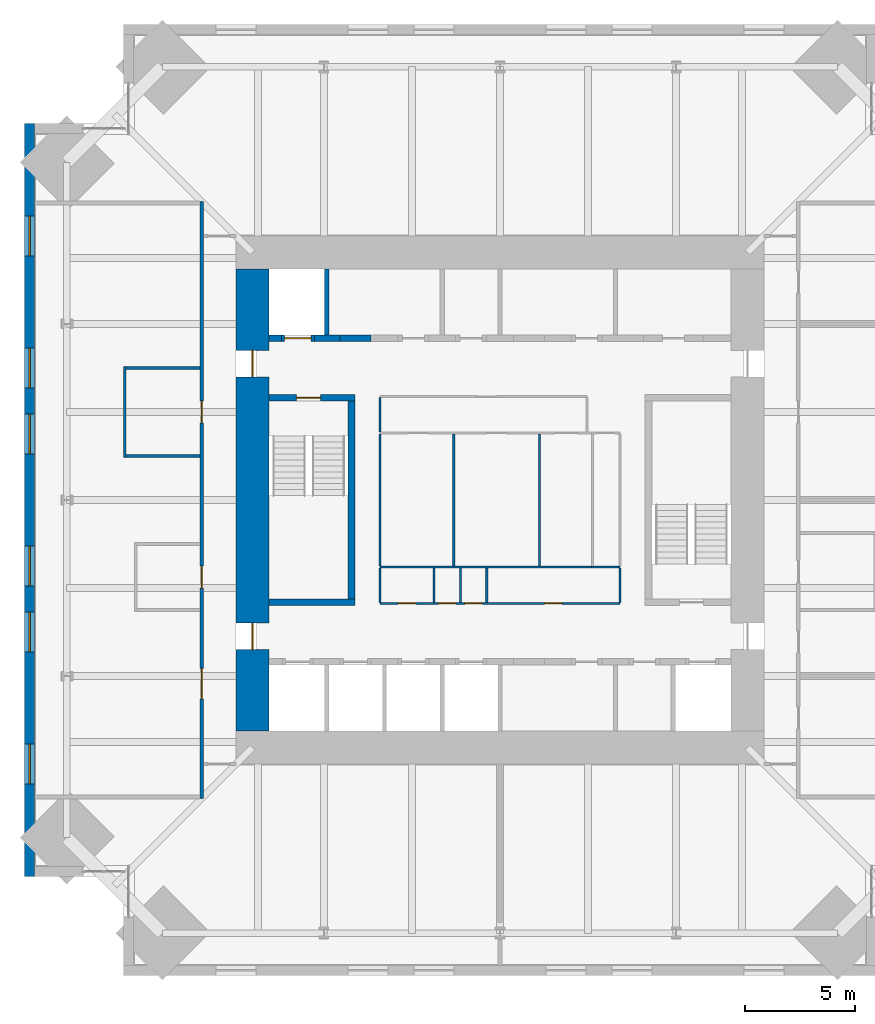
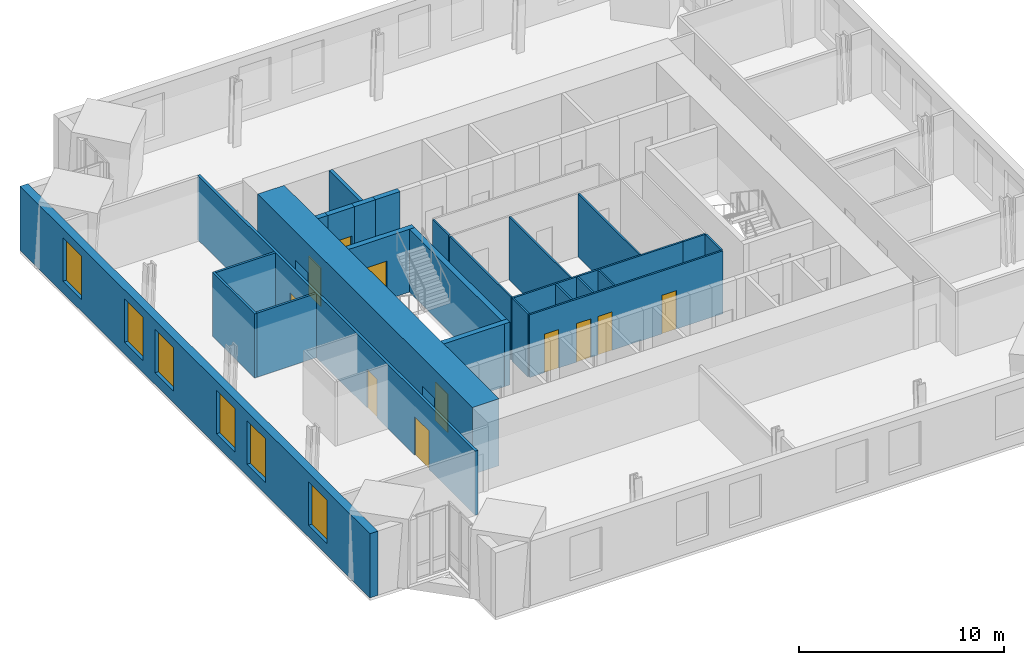
# One storey, part 12 of 16: 26 walls, 11 doors, 6 windows, 17 openings.
"""IFC4 building model written with IfcOpenShell, lengths in metres."""

import ifcopenshell
import ifcopenshell.guid

model = None  # the IFC model being written
_history = None  # IfcOwnerHistory: only IFC2X3 demands one
_inside = {}  # id of a spatial element -> (the spatial element, [elements in it])
_under = {}  # id of a project, library or spatial element -> (it, [spatial elements below it])
_declared = {}  # id of a project -> (the project, [libraries it declares])
_typed = {}  # id of a type object -> (the type object, [elements of that type])
_made_of = {}  # id of a material, layer set ... -> (it, [elements and type objects made of it])


def new_model(schema):
    """Start an empty IFC model of exactly this schema.

    Asked for "IFC4X3", IfcOpenShell would pick the latest addendum, in which some entities
    have other attributes; the version numbers below select the first issue.
    IFC2X3 requires an IfcOwnerHistory on every rooted entity: one is made here for all.
    """
    global model, _history
    if schema == "IFC4X3":
        model = ifcopenshell.file(schema_version=(4, 3, 0, 0))
    else:
        model = ifcopenshell.file(schema=schema)
    _inside.clear()
    _under.clear()
    _declared.clear()
    _typed.clear()
    _made_of.clear()
    _history = None
    if model.schema == "IFC2X3":
        org = make("IfcOrganization", Name="unknown")
        user = make(
            "IfcPersonAndOrganization",
            ThePerson=make("IfcPerson", FamilyName="unknown"),
            TheOrganization=org,
        )
        app = make(
            "IfcApplication",
            ApplicationDeveloper=org,
            Version="unknown",
            ApplicationFullName="unknown",
            ApplicationIdentifier="unknown",
        )
        _history = make(
            "IfcOwnerHistory",
            OwningUser=user,
            OwningApplication=app,
            ChangeAction="ADDED",
            CreationDate=0,
        )
    return model


def make(cls, **values):
    """One entity of the class cls with the attributes given. An attribute that is None is left unset."""
    return model.create_entity(
        cls, **{name: value for name, value in values.items() if value is not None}
    )


def rooted(cls, **values):
    """An entity with a GlobalId (a new one), such as an element, a storey or a relation."""
    return make(cls, GlobalId=ifcopenshell.guid.new(), OwnerHistory=_history, **values)


def si_unit(unit_type, name, prefix=None):
    """IfcSIUnit, for example si_unit("LENGTHUNIT", "METRE", prefix="MILLI")."""
    return make("IfcSIUnit", UnitType=unit_type, Prefix=prefix, Name=name)


def assignment(units):
    """IfcUnitAssignment: the units of a project."""
    return None if units is None else make("IfcUnitAssignment", Units=units)


def point(xyz):
    """IfcCartesianPoint."""
    return None if xyz is None else make("IfcCartesianPoint", Coordinates=xyz)


def direction(xyz):
    """IfcDirection."""
    return None if xyz is None else make("IfcDirection", DirectionRatios=xyz)


def frame(location, z_axis=None, x_axis=None):
    """IfcAxis2Placement3D, a coordinate frame: its origin and axes. An axis left out is left unset."""
    return make(
        "IfcAxis2Placement3D",
        Location=point(location),
        Axis=direction(z_axis),
        RefDirection=direction(x_axis),
    )


def frame_2d(location, x_axis=None):
    """IfcAxis2Placement2D, a coordinate frame in the plane: its origin and x axis."""
    return make(
        "IfcAxis2Placement2D", Location=point(location), RefDirection=direction(x_axis)
    )


def origin():
    """The frame at (0, 0, 0) with its axes left unset."""
    return frame((0.0, 0.0, 0.0))


def place(relative_to, where):
    """IfcLocalPlacement: puts the frame where relative to a parent placement (None: the world)."""
    return make(
        "IfcLocalPlacement", PlacementRelTo=relative_to, RelativePlacement=where
    )


def context(
    kind, dimensions, precision=None, world=None, true_north=None, identifier=None
):
    """IfcGeometricRepresentationContext, for example the 3D "Model" context."""
    return make(
        "IfcGeometricRepresentationContext",
        ContextIdentifier=identifier,
        ContextType=kind,
        CoordinateSpaceDimension=dimensions,
        Precision=precision,
        WorldCoordinateSystem=world,
        TrueNorth=true_north,
    )


def subcontext(parent, identifier, kind, view, scale=None):
    """IfcGeometricRepresentationSubContext, for example "Body" below "Model"."""
    return make(
        "IfcGeometricRepresentationSubContext",
        ContextIdentifier=identifier,
        ContextType=kind,
        ParentContext=parent,
        TargetScale=scale,
        TargetView=view,
    )


def project(units=None, contexts=None):
    """IfcProject with its units and contexts."""
    return rooted(
        "IfcProject",
        Name="project",
        RepresentationContexts=contexts,
        UnitsInContext=assignment(units),
    )


def spatial(cls, under=None, at=None, **own):
    """A site, building, storey or space (cls), placed at a placement, below another one or the project."""
    s = rooted(cls, ObjectPlacement=at, **own)
    if under is not None:
        _under.setdefault(under.id(), (under, []))[1].append(s)
    return s


def profile(cls, at=None, kind="AREA", **sizes):
    """A parametric profile (cls). Its sizes go by their IFC names, for example OverallWidth=200.0."""
    return make(cls, ProfileType=kind, Position=at, **sizes)


def rectangle(**sizes):
    """IfcRectangleProfileDef."""
    return profile("IfcRectangleProfileDef", **sizes)


def extrude(swept, where, along, depth):
    """IfcExtrudedAreaSolid: the profile swept, set in the frame where, extruded along a direction by depth."""
    return make(
        "IfcExtrudedAreaSolid",
        SweptArea=swept,
        Position=where,
        ExtrudedDirection=direction(along),
        Depth=depth,
    )


def shape(context_of_items, identifier, shape_type, items):
    """IfcShapeRepresentation: the items that make up one representation, for example the "Body"."""
    return make(
        "IfcShapeRepresentation",
        ContextOfItems=context_of_items,
        RepresentationIdentifier=identifier,
        RepresentationType=shape_type,
        Items=items,
    )


def material(Name=None, Category=None):
    """IfcMaterial."""
    return make("IfcMaterial", Name=Name, Category=Category)


def layer(
    of_material, thickness, ventilated=None, Name=None, Category=None, Priority=None
):
    """IfcMaterialLayer: one layer of a wall or slab, of a material (None: an air gap)."""
    return make(
        "IfcMaterialLayer",
        Material=of_material,
        LayerThickness=thickness,
        IsVentilated=ventilated,
        Name=Name,
        Category=Category,
        Priority=Priority,
    )


def layer_set(layers, Name=None):
    """IfcMaterialLayerSet."""
    return make("IfcMaterialLayerSet", MaterialLayers=layers, LayerSetName=Name)


def made_of(thing, what):
    """Note that an element or type object is made of a material, layer set ...; save() writes the relation."""
    if what is not None:
        _made_of.setdefault(what.id(), (what, []))[1].append(thing)
    return thing


def type_object(cls, material=None, **own):
    """A type object (cls), such as IfcWallType, which elements share."""
    return made_of(rooted(cls, **own), material)


def element(
    cls,
    number,
    at=None,
    inside=None,
    cuts=None,
    type_object=None,
    material=None,
    context=None,
    identifier="Body",
    shape_type=None,
    held_by="IfcProductDefinitionShape",
    body=None,
    shapes=None,
    **own,
):
    """One element of the class cls, such as IfcWall. Its Tag is "e" and its number.

    at: its placement. inside: the storey or other place that contains it. cuts: it is an
    opening in that element (IfcRelVoidsElement). A single representation is given by context,
    identifier, shape_type and body (its items); several are given by shapes. held_by: the class
    of the entity that holds the representations. save() writes the other relations.
    """
    e = rooted(cls, Tag="e%d" % number, ObjectPlacement=at, **own)
    if body is not None:
        shapes = [shape(context, identifier, shape_type, body)]
    if shapes is not None:
        e.Representation = make(held_by, Representations=shapes)
    if inside is not None:
        _inside.setdefault(inside.id(), (inside, []))[1].append(e)
    if cuts is not None:
        rooted(
            "IfcRelVoidsElement", RelatingBuildingElement=cuts, RelatedOpeningElement=e
        )
    if type_object is not None:
        _typed.setdefault(type_object.id(), (type_object, []))[1].append(e)
    return made_of(e, material)


def fill(opening, filler):
    """IfcRelFillsElement: the door or window that sits in an opening."""
    return rooted(
        "IfcRelFillsElement",
        RelatingOpeningElement=opening,
        RelatedBuildingElement=filler,
    )


def aggregate(whole, parts):
    """IfcRelAggregates: a whole, such as a stair, and the parts it consists of."""
    return rooted("IfcRelAggregates", RelatingObject=whole, RelatedObjects=parts)


def save(model, path):
    """Write the relations noted so far, then the file.

    IfcRelAggregates (storeys below a building ...), IfcRelContainedInSpatialStructure (elements
    in a storey), IfcRelDefinesByType, IfcRelAssociatesMaterial and IfcRelDeclares: one each for
    every whole, place, type object, material and project.
    """
    for whole, parts in _under.values():
        aggregate(whole, parts)
    for where, things in _inside.values():
        rooted(
            "IfcRelContainedInSpatialStructure",
            RelatedElements=things,
            RelatingStructure=where,
        )
    for kind, things in _typed.values():
        rooted("IfcRelDefinesByType", RelatedObjects=things, RelatingType=kind)
    for what, things in _made_of.values():
        rooted("IfcRelAssociatesMaterial", RelatedObjects=things, RelatingMaterial=what)
    for by, libraries in _declared.values():
        rooted("IfcRelDeclares", RelatingContext=by, RelatedDefinitions=libraries)
    model.write(path)


model = new_model("IFC4")

# Units and contexts
model_context = context("Model", 3, precision=1e-05, world=origin(), true_north=direction((0.0, 1.0)))
body_context = subcontext(model_context, "Body", "Model", "MODEL_VIEW")
ifc_project = project(units=[si_unit("LENGTHUNIT", "METRE"), si_unit("AREAUNIT", "SQUARE_METRE"), si_unit("VOLUMEUNIT", "CUBIC_METRE"), si_unit("PLANEANGLEUNIT", "RADIAN"), si_unit("MASSUNIT", "GRAM", prefix="KILO")], contexts=[model_context])

# Site, building, storey
site_placement = place(None, origin())
site = spatial("IfcSite", under=ifc_project, at=site_placement, CompositionType="ELEMENT")
building_placement = place(site_placement, origin())
building = spatial("IfcBuilding", under=site, at=building_placement, Name="Peilmerk Tower", CompositionType="ELEMENT")
storey_placement = place(building_placement, frame((0.0, 0.0, 277.800048828125)))
storey = spatial("IfcBuildingStorey", under=building, at=storey_placement, Name="L62", CompositionType="ELEMENT", Elevation=277.800048828125)

# Wall, openings, windows
ifc_material_1 = material(Name="Precast concrete C45/55, board-marked finish", Category="concrete")
ifc_layer_1 = layer(ifc_material_1, 0.449951171875)
ifc_layer_set_1 = layer_set([ifc_layer_1], Name="Precast concrete C45/55, board-marked finish")
wall_type_1 = type_object("IfcWallType", Name="EW1 450 precast concrete facade wall, board-marked", PredefinedType="SOLIDWALL", material=ifc_layer_set_1)
wall_1_placement = place(storey_placement, frame((-21.375, 17.10009765625, 0.0), z_axis=(0.0, 0.0, 1.0), x_axis=(0.0, -1.0, 0.0)))
wall_1 = element("IfcWall", 1, at=wall_1_placement, inside=storey, type_object=wall_type_1, Name="Facade wall W L62", PredefinedType="SOLIDWALL", context=body_context, shape_type="SweptSolid", body=[
    extrude(rectangle(XDim=34.2001953125, YDim=0.449951171875, at=frame_2d((17.10009765625, 0.0))), origin(), (0.0, 0.0, 1.0), 3.829833984375),
])
opening_1_placement = place(wall_1_placement, frame((4.199951171875, 0.0, 0.699951171875)))
opening_1 = element("IfcOpeningElement", 2, at=opening_1_placement, cuts=wall_1, Name="Opening W1", PredefinedType="OPENING", context=body_context, shape_type="SweptSolid", body=[
    extrude(rectangle(XDim=1.800048828125, YDim=2.60009765625, at=frame_2d((0.89990234375, 1.300048828125))), frame((0.0, 0.23486328125, 0.0), z_axis=(0.0, -1.0, 0.0), x_axis=(1.0, 0.0, 0.0)), (0.0, 0.0, 1.0), 0.469970703125),
])
opening_2_placement = place(wall_1_placement, frame((10.199951171875, 0.0, 0.699951171875)))
opening_2 = element("IfcOpeningElement", 3, at=opening_2_placement, cuts=wall_1, Name="Opening W1", PredefinedType="OPENING", context=body_context, shape_type="SweptSolid", body=[
    extrude(rectangle(XDim=1.800048828125, YDim=2.60009765625, at=frame_2d((0.89990234375, 1.300048828125))), frame((0.0, 0.23486328125, 0.0), z_axis=(0.0, -1.0, 0.0), x_axis=(1.0, 0.0, 0.0)), (0.0, 0.0, 1.0), 0.469970703125),
])
opening_3_placement = place(wall_1_placement, frame((13.199951171875, 0.0, 0.699951171875)))
opening_3 = element("IfcOpeningElement", 4, at=opening_3_placement, cuts=wall_1, Name="Opening W1", PredefinedType="OPENING", context=body_context, shape_type="SweptSolid", body=[
    extrude(rectangle(XDim=1.800048828125, YDim=2.60009765625, at=frame_2d((0.89990234375, 1.300048828125))), frame((0.0, 0.23486328125, 0.0), z_axis=(0.0, -1.0, 0.0), x_axis=(1.0, 0.0, 0.0)), (0.0, 0.0, 1.0), 0.469970703125),
])
opening_4_placement = place(wall_1_placement, frame((19.199951171875, 0.0, 0.699951171875)))
opening_4 = element("IfcOpeningElement", 5, at=opening_4_placement, cuts=wall_1, Name="Opening W1", PredefinedType="OPENING", context=body_context, shape_type="SweptSolid", body=[
    extrude(rectangle(XDim=1.800048828125, YDim=2.60009765625, at=frame_2d((0.89990234375, 1.300048828125))), frame((0.0, 0.23486328125, 0.0), z_axis=(0.0, -1.0, 0.0), x_axis=(1.0, 0.0, 0.0)), (0.0, 0.0, 1.0), 0.469970703125),
])
opening_5_placement = place(wall_1_placement, frame((22.199951171875, 0.0, 0.699951171875)))
opening_5 = element("IfcOpeningElement", 6, at=opening_5_placement, cuts=wall_1, Name="Opening W1", PredefinedType="OPENING", context=body_context, shape_type="SweptSolid", body=[
    extrude(rectangle(XDim=1.800048828125, YDim=2.60009765625, at=frame_2d((0.89990234375, 1.300048828125))), frame((0.0, 0.23486328125, 0.0), z_axis=(0.0, -1.0, 0.0), x_axis=(1.0, 0.0, 0.0)), (0.0, 0.0, 1.0), 0.469970703125),
])
opening_6_placement = place(wall_1_placement, frame((28.199951171875, 0.0, 0.699951171875)))
opening_6 = element("IfcOpeningElement", 7, at=opening_6_placement, cuts=wall_1, Name="Opening W1", PredefinedType="OPENING", context=body_context, shape_type="SweptSolid", body=[
    extrude(rectangle(XDim=1.800048828125, YDim=2.60009765625, at=frame_2d((0.89990234375, 1.300048828125))), frame((0.0, 0.23486328125, 0.0), z_axis=(0.0, -1.0, 0.0), x_axis=(1.0, 0.0, 0.0)), (0.0, 0.0, 1.0), 0.469970703125),
])
ifc_material_2 = material(Name="Aluminium frame, clear double glazing", Category="aluminium")
window_type = type_object("IfcWindowType", Name="W1 1800x2600 office window", PartitioningType="SINGLE_PANEL", PredefinedType="WINDOW", material=ifc_material_2)
window_1_placement = place(opening_1_placement, origin())
window_1 = element("IfcWindow", 8, at=window_1_placement, inside=storey, type_object=window_type, Name="Window W1 L62", OverallHeight=2.60009765625, OverallWidth=1.800048828125, PartitioningType="SINGLE_PANEL", PredefinedType="WINDOW", context=body_context, shape_type="SweptSolid", body=[
    extrude(rectangle(XDim=1.800048828125, YDim=2.60009765625, at=frame_2d((0.89990234375, 1.300048828125))), frame((0.0, 0.030029296875, 0.0), z_axis=(0.0, -1.0, 0.0), x_axis=(1.0, 0.0, 0.0)), (0.0, 0.0, 1.0), 0.06005859375),
])
fill(opening_1, window_1)
window_2_placement = place(opening_2_placement, origin())
window_2 = element("IfcWindow", 9, at=window_2_placement, inside=storey, type_object=window_type, Name="Window W1 L62", OverallHeight=2.60009765625, OverallWidth=1.800048828125, PartitioningType="SINGLE_PANEL", PredefinedType="WINDOW", context=body_context, shape_type="SweptSolid", body=[
    extrude(rectangle(XDim=1.800048828125, YDim=2.60009765625, at=frame_2d((0.89990234375, 1.300048828125))), frame((0.0, 0.030029296875, 0.0), z_axis=(0.0, -1.0, 0.0), x_axis=(1.0, 0.0, 0.0)), (0.0, 0.0, 1.0), 0.06005859375),
])
fill(opening_2, window_2)
window_3_placement = place(opening_3_placement, origin())
window_3 = element("IfcWindow", 10, at=window_3_placement, inside=storey, type_object=window_type, Name="Window W1 L62", OverallHeight=2.60009765625, OverallWidth=1.800048828125, PartitioningType="SINGLE_PANEL", PredefinedType="WINDOW", context=body_context, shape_type="SweptSolid", body=[
    extrude(rectangle(XDim=1.800048828125, YDim=2.60009765625, at=frame_2d((0.89990234375, 1.300048828125))), frame((0.0, 0.030029296875, 0.0), z_axis=(0.0, -1.0, 0.0), x_axis=(1.0, 0.0, 0.0)), (0.0, 0.0, 1.0), 0.06005859375),
])
fill(opening_3, window_3)
window_4_placement = place(opening_4_placement, origin())
window_4 = element("IfcWindow", 11, at=window_4_placement, inside=storey, type_object=window_type, Name="Window W1 L62", OverallHeight=2.60009765625, OverallWidth=1.800048828125, PartitioningType="SINGLE_PANEL", PredefinedType="WINDOW", context=body_context, shape_type="SweptSolid", body=[
    extrude(rectangle(XDim=1.800048828125, YDim=2.60009765625, at=frame_2d((0.89990234375, 1.300048828125))), frame((0.0, 0.030029296875, 0.0), z_axis=(0.0, -1.0, 0.0), x_axis=(1.0, 0.0, 0.0)), (0.0, 0.0, 1.0), 0.06005859375),
])
fill(opening_4, window_4)
window_5_placement = place(opening_5_placement, origin())
window_5 = element("IfcWindow", 12, at=window_5_placement, inside=storey, type_object=window_type, Name="Window W1 L62", OverallHeight=2.60009765625, OverallWidth=1.800048828125, PartitioningType="SINGLE_PANEL", PredefinedType="WINDOW", context=body_context, shape_type="SweptSolid", body=[
    extrude(rectangle(XDim=1.800048828125, YDim=2.60009765625, at=frame_2d((0.89990234375, 1.300048828125))), frame((0.0, 0.030029296875, 0.0), z_axis=(0.0, -1.0, 0.0), x_axis=(1.0, 0.0, 0.0)), (0.0, 0.0, 1.0), 0.06005859375),
])
fill(opening_5, window_5)
window_6_placement = place(opening_6_placement, origin())
window_6 = element("IfcWindow", 13, at=window_6_placement, inside=storey, type_object=window_type, Name="Window W1 L62", OverallHeight=2.60009765625, OverallWidth=1.800048828125, PartitioningType="SINGLE_PANEL", PredefinedType="WINDOW", context=body_context, shape_type="SweptSolid", body=[
    extrude(rectangle(XDim=1.800048828125, YDim=2.60009765625, at=frame_2d((0.89990234375, 1.300048828125))), frame((0.0, 0.030029296875, 0.0), z_axis=(0.0, -1.0, 0.0), x_axis=(1.0, 0.0, 0.0)), (0.0, 0.0, 1.0), 0.06005859375),
])
fill(opening_6, window_6)

# Wall, openings, doors
ifc_material_3 = material(Name="Calcium silicate block", Category="masonry")
ifc_layer_2 = layer(ifc_material_3, 0.14990234375)
ifc_layer_set_2 = layer_set([ifc_layer_2], Name="Calcium silicate block")
wall_type_2 = type_object("IfcWallType", Name="IW1 150 corridor partition, EI 60", PredefinedType="PARTITIONING", material=ifc_layer_set_2)
wall_2_placement = place(storey_placement, frame((-13.550048828125, 13.574951171875, 0.0), z_axis=(0.0, 0.0, 1.0), x_axis=(0.0, -1.0, 0.0)))
wall_2 = element("IfcWall", 14, at=wall_2_placement, inside=storey, type_object=wall_type_2, Name="Corridor wall W L62", PredefinedType="PARTITIONING", context=body_context, shape_type="SweptSolid", body=[
    extrude(rectangle(XDim=27.14990234375, YDim=0.14990234375, at=frame_2d((13.574951171875, 0.0))), origin(), (0.0, 0.0, 1.0), 3.829833984375),
])
opening_7_placement = place(wall_2_placement, frame((21.22509765625, 0.0, 0.0)))
opening_7 = element("IfcOpeningElement", 15, at=opening_7_placement, cuts=wall_2, Name="Opening D8", PredefinedType="OPENING", context=body_context, shape_type="SweptSolid", body=[
    extrude(rectangle(XDim=1.39990234375, YDim=2.300048828125, at=frame_2d((0.699951171875, 1.14990234375))), frame((0.0, 0.0849609375, 0.0), z_axis=(0.0, -1.0, 0.0), x_axis=(1.0, 0.0, 0.0)), (0.0, 0.0, 1.0), 0.169921875),
])
opening_8_placement = place(wall_2_placement, frame((9.074951171875, 0.0, 0.0)))
opening_8 = element("IfcOpeningElement", 16, at=opening_8_placement, cuts=wall_2, Name="Opening D1", PredefinedType="OPENING", context=body_context, shape_type="SweptSolid", body=[
    extrude(rectangle(XDim=1.0, YDim=2.300048828125, at=frame_2d((0.5, 1.14990234375))), frame((0.0, 0.0849609375, 0.0), z_axis=(0.0, -1.0, 0.0), x_axis=(1.0, 0.0, 0.0)), (0.0, 0.0, 1.0), 0.169921875),
])
opening_9_placement = place(wall_2_placement, frame((16.574951171875, 0.0, 0.0)))
opening_9 = element("IfcOpeningElement", 17, at=opening_9_placement, cuts=wall_2, Name="Opening D1", PredefinedType="OPENING", context=body_context, shape_type="SweptSolid", body=[
    extrude(rectangle(XDim=1.0, YDim=2.300048828125, at=frame_2d((0.5, 1.14990234375))), frame((0.0, 0.0849609375, 0.0), z_axis=(0.0, -1.0, 0.0), x_axis=(1.0, 0.0, 0.0)), (0.0, 0.0, 1.0), 0.169921875),
])
ifc_material_4 = material(Name="Timber door in steel frame", Category="steel")
door_type_1 = type_object("IfcDoorType", Name="D1 1000x2300 room door, EI2 30", OperationType="SINGLE_SWING_LEFT", PredefinedType="DOOR", material=ifc_material_4)
door_1_placement = place(opening_8_placement, frame((1.0, 0.0, 0.0), z_axis=(0.0, 0.0, 1.0), x_axis=(-1.0, 0.0, 0.0)))
door_1 = element("IfcDoor", 18, at=door_1_placement, inside=storey, type_object=door_type_1, Name="Door Meeting room L62", OperationType="SINGLE_SWING_LEFT", OverallHeight=2.300048828125, OverallWidth=1.0, PredefinedType="DOOR", context=body_context, shape_type="SweptSolid", body=[
    extrude(rectangle(XDim=1.0, YDim=2.300048828125, at=frame_2d((0.5, 1.14990234375))), frame((0.0, 0.02490234375, 0.0), z_axis=(0.0, -1.0, 0.0), x_axis=(1.0, 0.0, 0.0)), (0.0, 0.0, 1.0), 0.050048828125),
])
fill(opening_8, door_1)
door_2_placement = place(opening_9_placement, frame((1.0, 0.0, 0.0), z_axis=(0.0, 0.0, 1.0), x_axis=(-1.0, 0.0, 0.0)))
door_2 = element("IfcDoor", 19, at=door_2_placement, inside=storey, type_object=door_type_1, Name="Door Quiet room L62", OperationType="SINGLE_SWING_LEFT", OverallHeight=2.300048828125, OverallWidth=1.0, PredefinedType="DOOR", context=body_context, shape_type="SweptSolid", body=[
    extrude(rectangle(XDim=1.0, YDim=2.300048828125, at=frame_2d((0.5, 1.14990234375))), frame((0.0, 0.02490234375, 0.0), z_axis=(0.0, -1.0, 0.0), x_axis=(1.0, 0.0, 0.0)), (0.0, 0.0, 1.0), 0.050048828125),
])
fill(opening_9, door_2)
door_type_2 = type_object("IfcDoorType", Name="D8 1400x2300 leaf-and-a-half door, EI2 30", OperationType="DOUBLE_DOOR_SINGLE_SWING", PredefinedType="DOOR", material=ifc_material_4)
door_3_placement = place(opening_7_placement, frame((1.39990234375, 0.0, 0.0), z_axis=(0.0, 0.0, 1.0), x_axis=(-1.0, 0.0, 0.0)))
door_3 = element("IfcDoor", 20, at=door_3_placement, inside=storey, type_object=door_type_2, Name="Door Client suite L62", OperationType="DOUBLE_DOOR_SINGLE_SWING", OverallHeight=2.300048828125, OverallWidth=1.39990234375, PredefinedType="DOOR", context=body_context, shape_type="SweptSolid", body=[
    extrude(rectangle(XDim=1.39990234375, YDim=2.300048828125, at=frame_2d((0.699951171875, 1.14990234375))), frame((0.0, 0.02490234375, 0.0), z_axis=(0.0, -1.0, 0.0), x_axis=(1.0, 0.0, 0.0)), (0.0, 0.0, 1.0), 0.050048828125),
])
fill(opening_7, door_3)

# Wall
ifc_material_5 = material(Name="Concrete C35/45", Category="concrete")
ifc_layer_3 = layer(ifc_material_5, 0.300048828125)
ifc_layer_set_3 = layer_set([ifc_layer_3], Name="Concrete C35/45")
wall_type_3 = type_object("IfcWallType", Name="IW3 300 concrete stair enclosure wall, EI 120", PredefinedType="SOLIDWALL", material=ifc_layer_set_3)
wall_3_placement = place(storey_placement, frame((-6.75, -4.800048828125, 0.0), z_axis=(0.0, 0.0, 1.0), x_axis=(0.0, 1.0, 0.0)))
element("IfcWall", 21, at=wall_3_placement, inside=storey, type_object=wall_type_3, Name="Stair 1 enclosure L62", PredefinedType="SOLIDWALL", context=body_context, shape_type="SweptSolid", body=[
    extrude(rectangle(XDim=9.60009765625, YDim=0.300048828125, at=frame_2d((4.800048828125, 0.0))), origin(), (0.0, 0.0, 1.0), 3.75),
])

# Wall, opening, door
wall_4_placement = place(storey_placement, frame((-10.5, 4.64990234375, 0.0), z_axis=(0.0, 0.0, 1.0), x_axis=(1.0, 0.0, 0.0)))
wall_4 = element("IfcWall", 22, at=wall_4_placement, inside=storey, type_object=wall_type_3, Name="Stair 1 enclosure L62", PredefinedType="SOLIDWALL", context=body_context, shape_type="SweptSolid", body=[
    extrude(rectangle(XDim=3.89990234375, YDim=0.300048828125, at=frame_2d((1.949951171875, 0.0))), origin(), (0.0, 0.0, 1.0), 3.75),
])
opening_10_placement = place(wall_4_placement, frame((1.25, 0.0, 0.0)))
opening_10 = element("IfcOpeningElement", 23, at=opening_10_placement, cuts=wall_4, Name="Opening D4", PredefinedType="OPENING", context=body_context, shape_type="SweptSolid", body=[
    extrude(rectangle(XDim=1.10009765625, YDim=2.300048828125, at=frame_2d((0.550048828125, 1.14990234375))), frame((0.0, 0.159912109375, 0.0), z_axis=(0.0, -1.0, 0.0), x_axis=(1.0, 0.0, 0.0)), (0.0, 0.0, 1.0), 0.320068359375),
])
ifc_material_6 = material(Name="Steel door in steel frame", Category="steel")
door_type_3 = type_object("IfcDoorType", Name="D4 1100x2300 stair door, EI2 60", OperationType="SINGLE_SWING_RIGHT", PredefinedType="DOOR", material=ifc_material_6)
door_4_placement = place(opening_10_placement, frame((1.10009765625, 0.0, 0.0), z_axis=(0.0, 0.0, 1.0), x_axis=(-1.0, 0.0, 0.0)))
door_4 = element("IfcDoor", 24, at=door_4_placement, inside=storey, type_object=door_type_3, Name="Stair 1 door L62", OperationType="SINGLE_SWING_RIGHT", OverallHeight=2.300048828125, OverallWidth=1.10009765625, PredefinedType="DOOR", context=body_context, shape_type="SweptSolid", body=[
    extrude(rectangle(XDim=1.10009765625, YDim=2.300048828125, at=frame_2d((0.550048828125, 1.14990234375))), frame((0.0, 0.02490234375, 0.0), z_axis=(0.0, -1.0, 0.0), x_axis=(1.0, 0.0, 0.0)), (0.0, 0.0, 1.0), 0.050048828125),
])
fill(opening_10, door_4)

# Walls
wall_5_placement = place(storey_placement, frame((-6.60009765625, -4.64990234375, 0.0), z_axis=(0.0, 0.0, 1.0), x_axis=(-1.0, 0.0, 0.0)))
element("IfcWall", 25, at=wall_5_placement, inside=storey, type_object=wall_type_3, Name="Stair 1 enclosure L62", PredefinedType="SOLIDWALL", context=body_context, shape_type="SweptSolid", body=[
    extrude(rectangle(XDim=3.89990234375, YDim=0.300048828125, at=frame_2d((1.949951171875, 0.0))), origin(), (0.0, 0.0, 1.0), 3.75),
])
ifc_material_7 = material(Name="Plasterboard on steel studs", Category="steel")
ifc_layer_4 = layer(ifc_material_7, 0.10009765625)
ifc_layer_set_4 = layer_set([ifc_layer_4], Name="Plasterboard on steel studs")
wall_type_4 = type_object("IfcWallType", Name="IW4 100 WC partition", PredefinedType="PARTITIONING", material=ifc_layer_set_4)
wall_6_placement = place(storey_placement, frame((4.14990234375, -3.050048828125, 0.0), z_axis=(0.0, 0.0, 1.0), x_axis=(-1.0, 0.0, 0.0)))
element("IfcWall", 26, at=wall_6_placement, inside=storey, type_object=wall_type_4, Name="WC wall L62", PredefinedType="PARTITIONING", context=body_context, shape_type="SweptSolid", body=[
    extrude(rectangle(XDim=9.599853515625, YDim=0.10009765625, at=frame_2d((4.7998046875, 0.0))), origin(), (0.0, 0.0, 1.0), 3.75),
])
for number, where, z_axis, x_axis, name in (
    (27, (-5.449951171875, -3.0, 0.0), (0.0, 0.0, 1.0), (0.0, 1.0, 0.0), "WC wall L62"),
    (28, (-2.10009765625, -3.0, 0.0), (0.0, 0.0, 1.0), (0.0, 1.0, 0.0), "WC wall L62"),
    (29, (1.800048828125, -3.0, 0.0), (0.0, 0.0, 1.0), (0.0, 1.0, 0.0), "WC wall L62"),
):
    element("IfcWall", number, at=place(storey_placement, frame(where, z_axis=z_axis, x_axis=x_axis)), inside=storey, type_object=wall_type_4, Name=name, PredefinedType="PARTITIONING", context=body_context, shape_type="SweptSolid", body=[
        extrude(rectangle(XDim=6.0, YDim=0.10009765625, at=frame_2d((3.0, 0.0))), origin(), (0.0, 0.0, 1.0), 3.75),
    ])
ifc_material_8 = material(Name="Calcium silicate board on steel studs", Category="steel")
ifc_layer_5 = layer(ifc_material_8, 0.10009765625)
ifc_layer_set_5 = layer_set([ifc_layer_5], Name="Calcium silicate board on steel studs")
wall_type_5 = type_object("IfcWallType", Name="IW5 100 riser enclosure wall, EI 60", PredefinedType="PARTITIONING", material=ifc_layer_set_5)
wall_7_placement = place(storey_placement, frame((5.449951171875, -3.050048828125, 0.0), z_axis=(0.0, 0.0, 1.0), x_axis=(-1.0, 0.0, 0.0)))
element("IfcWall", 30, at=wall_7_placement, inside=storey, type_object=wall_type_5, Name="Riser wall L62", PredefinedType="PARTITIONING", context=body_context, shape_type="SweptSolid", body=[
    extrude(rectangle(XDim=1.300048828125, YDim=0.10009765625, at=frame_2d((0.64990234375, 0.0))), origin(), (0.0, 0.0, 1.0), 3.75),
])

# Wall, openings, doors
wall_8_placement = place(storey_placement, frame((5.449951171875, -4.699951171875, 0.0), z_axis=(0.0, 0.0, 1.0), x_axis=(-1.0, 0.0, 0.0)))
wall_8 = element("IfcWall", 31, at=wall_8_placement, inside=storey, type_object=wall_type_5, Name="Riser wall L62", PredefinedType="PARTITIONING", context=body_context, shape_type="SweptSolid", body=[
    extrude(rectangle(XDim=10.89990234375, YDim=0.10009765625, at=frame_2d((5.449951171875, 0.0))), origin(), (0.0, 0.0, 1.0), 3.75),
])
opening_11_placement = place(wall_8_placement, frame((9.27490234375, 0.0, 0.0)))
opening_11 = element("IfcOpeningElement", 32, at=opening_11_placement, cuts=wall_8, Name="Opening D7", PredefinedType="OPENING", context=body_context, shape_type="SweptSolid", body=[
    extrude(rectangle(XDim=0.800048828125, YDim=2.300048828125, at=frame_2d((0.39990234375, 1.14990234375))), frame((0.0, 0.06005859375, 0.0), z_axis=(0.0, -1.0, 0.0), x_axis=(1.0, 0.0, 0.0)), (0.0, 0.0, 1.0), 0.1201171875),
])
opening_12_placement = place(wall_8_placement, frame((7.449951171875, 0.0, 0.0)))
opening_12 = element("IfcOpeningElement", 33, at=opening_12_placement, cuts=wall_8, Name="Opening D7", PredefinedType="OPENING", context=body_context, shape_type="SweptSolid", body=[
    extrude(rectangle(XDim=0.800048828125, YDim=2.300048828125, at=frame_2d((0.39990234375, 1.14990234375))), frame((0.0, 0.06005859375, 0.0), z_axis=(0.0, -1.0, 0.0), x_axis=(1.0, 0.0, 0.0)), (0.0, 0.0, 1.0), 0.1201171875),
])
opening_13_placement = place(wall_8_placement, frame((6.25, 0.0, 0.0)))
opening_13 = element("IfcOpeningElement", 34, at=opening_13_placement, cuts=wall_8, Name="Opening D7", PredefinedType="OPENING", context=body_context, shape_type="SweptSolid", body=[
    extrude(rectangle(XDim=0.800048828125, YDim=2.300048828125, at=frame_2d((0.39990234375, 1.14990234375))), frame((0.0, 0.06005859375, 0.0), z_axis=(0.0, -1.0, 0.0), x_axis=(1.0, 0.0, 0.0)), (0.0, 0.0, 1.0), 0.1201171875),
])
opening_14_placement = place(wall_8_placement, frame((2.625, 0.0, 0.0)))
opening_14 = element("IfcOpeningElement", 35, at=opening_14_placement, cuts=wall_8, Name="Opening D7", PredefinedType="OPENING", context=body_context, shape_type="SweptSolid", body=[
    extrude(rectangle(XDim=0.800048828125, YDim=2.300048828125, at=frame_2d((0.39990234375, 1.14990234375))), frame((0.0, 0.06005859375, 0.0), z_axis=(0.0, -1.0, 0.0), x_axis=(1.0, 0.0, 0.0)), (0.0, 0.0, 1.0), 0.1201171875),
])
door_type_4 = type_object("IfcDoorType", Name="D7 800x2300 riser access door, EI2 60", OperationType="SINGLE_SWING_RIGHT", PredefinedType="DOOR", material=ifc_material_6)
door_5_placement = place(opening_11_placement, frame((0.800048828125, 0.0, 0.0), z_axis=(0.0, 0.0, 1.0), x_axis=(-1.0, 0.0, 0.0)))
door_5 = element("IfcDoor", 36, at=door_5_placement, inside=storey, type_object=door_type_4, Name="Cleaner's cupboard door L62", OperationType="SINGLE_SWING_RIGHT", OverallHeight=2.300048828125, OverallWidth=0.800048828125, PredefinedType="DOOR", context=body_context, shape_type="SweptSolid", body=[
    extrude(rectangle(XDim=0.800048828125, YDim=2.300048828125, at=frame_2d((0.39990234375, 1.14990234375))), frame((0.0, 0.02490234375, 0.0), z_axis=(0.0, -1.0, 0.0), x_axis=(1.0, 0.0, 0.0)), (0.0, 0.0, 1.0), 0.050048828125),
])
fill(opening_11, door_5)
door_6_placement = place(opening_12_placement, frame((0.800048828125, 0.0, 0.0), z_axis=(0.0, 0.0, 1.0), x_axis=(-1.0, 0.0, 0.0)))
door_6 = element("IfcDoor", 37, at=door_6_placement, inside=storey, type_object=door_type_4, Name="Electrical riser door L62", OperationType="SINGLE_SWING_RIGHT", OverallHeight=2.300048828125, OverallWidth=0.800048828125, PredefinedType="DOOR", context=body_context, shape_type="SweptSolid", body=[
    extrude(rectangle(XDim=0.800048828125, YDim=2.300048828125, at=frame_2d((0.39990234375, 1.14990234375))), frame((0.0, 0.02490234375, 0.0), z_axis=(0.0, -1.0, 0.0), x_axis=(1.0, 0.0, 0.0)), (0.0, 0.0, 1.0), 0.050048828125),
])
fill(opening_12, door_6)
door_7_placement = place(opening_13_placement, frame((0.800048828125, 0.0, 0.0), z_axis=(0.0, 0.0, 1.0), x_axis=(-1.0, 0.0, 0.0)))
door_7 = element("IfcDoor", 38, at=door_7_placement, inside=storey, type_object=door_type_4, Name="Data riser door L62", OperationType="SINGLE_SWING_RIGHT", OverallHeight=2.300048828125, OverallWidth=0.800048828125, PredefinedType="DOOR", context=body_context, shape_type="SweptSolid", body=[
    extrude(rectangle(XDim=0.800048828125, YDim=2.300048828125, at=frame_2d((0.39990234375, 1.14990234375))), frame((0.0, 0.02490234375, 0.0), z_axis=(0.0, -1.0, 0.0), x_axis=(1.0, 0.0, 0.0)), (0.0, 0.0, 1.0), 0.050048828125),
])
fill(opening_13, door_7)
door_8_placement = place(opening_14_placement, frame((0.800048828125, 0.0, 0.0), z_axis=(0.0, 0.0, 1.0), x_axis=(-1.0, 0.0, 0.0)))
door_8 = element("IfcDoor", 39, at=door_8_placement, inside=storey, type_object=door_type_4, Name="Comms room door L62", OperationType="SINGLE_SWING_RIGHT", OverallHeight=2.300048828125, OverallWidth=0.800048828125, PredefinedType="DOOR", context=body_context, shape_type="SweptSolid", body=[
    extrude(rectangle(XDim=0.800048828125, YDim=2.300048828125, at=frame_2d((0.39990234375, 1.14990234375))), frame((0.0, 0.02490234375, 0.0), z_axis=(0.0, -1.0, 0.0), x_axis=(1.0, 0.0, 0.0)), (0.0, 0.0, 1.0), 0.050048828125),
])
fill(opening_14, door_8)

# Walls
for number, where, z_axis, x_axis, name in (
    (40, (-5.449951171875, -3.10009765625, 0.0), (0.0, 0.0, 1.0), (0.0, -1.0, 0.0), "Riser wall L62"),
    (41, (5.449951171875, -3.10009765625, 0.0), (0.0, 0.0, 1.0), (0.0, -1.0, 0.0), "Riser wall L62"),
    (42, (-3.0, -3.10009765625, 0.0), (0.0, 0.0, 1.0), (0.0, -1.0, 0.0), "Riser wall L62"),
    (43, (-1.800048828125, -3.10009765625, 0.0), (0.0, 0.0, 1.0), (0.0, -1.0, 0.0), "Riser wall L62"),
    (44, (-0.60009765625, -3.10009765625, 0.0), (0.0, 0.0, 1.0), (0.0, -1.0, 0.0), "Riser wall L62"),
):
    element("IfcWall", number, at=place(storey_placement, frame(where, z_axis=z_axis, x_axis=x_axis)), inside=storey, type_object=wall_type_5, Name=name, PredefinedType="PARTITIONING", context=body_context, shape_type="SweptSolid", body=[
        extrude(rectangle(XDim=1.5498046875, YDim=0.10009765625, at=frame_2d((0.77490234375, 0.0))), origin(), (0.0, 0.0, 1.0), 3.75),
    ])
ifc_material_9 = material(Name="Plasterboard on steel studs, double boarded with mineral wool", Category="steel")
ifc_layer_6 = layer(ifc_material_9, 0.125)
ifc_layer_set_6 = layer_set([ifc_layer_6], Name="Plasterboard on steel studs, double boarded with mineral wool")
wall_type_6 = type_object("IfcWallType", Name="IW7 125 acoustic partition, EI 30", PredefinedType="PARTITIONING", material=ifc_layer_set_6)
wall_9_placement = place(storey_placement, frame((-17.050048828125, 1.9375, 0.0), z_axis=(0.0, 0.0, 1.0), x_axis=(0.0, 1.0, 0.0)))
element("IfcWall", 45, at=wall_9_placement, inside=storey, type_object=wall_type_6, Name="Acoustic partition Meeting room L62", PredefinedType="PARTITIONING", context=body_context, shape_type="SweptSolid", body=[
    extrude(rectangle(XDim=4.125, YDim=0.125, at=frame_2d((2.0625, 0.0))), origin(), (0.0, 0.0, 1.0), 3.829833984375),
])
for number, where, z_axis, x_axis, name in (
    (46, (-13.625, 2.0, 0.0), (0.0, 0.0, 1.0), (-1.0, 0.0, 0.0), "Acoustic partition Meeting room L62"),
    (47, (-13.625, 6.0, 0.0), (0.0, 0.0, 1.0), (-1.0, 0.0, 0.0), "Acoustic partition Meeting room L62"),
):
    element("IfcWall", number, at=place(storey_placement, frame(where, z_axis=z_axis, x_axis=x_axis)), inside=storey, type_object=wall_type_6, Name=name, PredefinedType="PARTITIONING", context=body_context, shape_type="SweptSolid", body=[
        extrude(rectangle(XDim=3.362548828125, YDim=0.125, at=frame_2d((1.68115234375, 0.0))), origin(), (0.0, 0.0, 1.0), 3.829833984375),
    ])
ifc_material_10 = material(Name="Fire-resisting plasterboard on steel studs", Category="steel")
ifc_layer_7 = layer(ifc_material_10, 0.10009765625)
ifc_layer_set_7 = layer_set([ifc_layer_7], Name="Fire-resisting plasterboard on steel studs")
wall_type_7 = type_object("IfcWallType", Name="IW9 100 WC lobby wall, EI 30", PredefinedType="PARTITIONING", material=ifc_layer_set_7)
wall_10_placement = place(storey_placement, frame((-5.449951171875, 3.10009765625, 0.0), z_axis=(0.0, 0.0, 1.0), x_axis=(0.0, 1.0, 0.0)))
element("IfcWall", 48, at=wall_10_placement, inside=storey, type_object=wall_type_7, Name="WC lobby wall L62", PredefinedType="PARTITIONING", context=body_context, shape_type="SweptSolid", body=[
    extrude(rectangle(XDim=1.5498046875, YDim=0.10009765625, at=frame_2d((0.77490234375, 0.0))), origin(), (0.0, 0.0, 1.0), 3.75),
])
ifc_layer_8 = layer(ifc_material_3, 0.199951171875)
ifc_layer_set_8 = layer_set([ifc_layer_8], Name="Calcium silicate block")
wall_type_8 = type_object("IfcWallType", Name="SH1 200 shaft dividing wall, EI 120", PredefinedType="PARTITIONING", material=ifc_layer_set_8)
wall_11_placement = place(storey_placement, frame((-7.875, 7.5, 0.0), z_axis=(0.0, 0.0, 1.0), x_axis=(0.0, 1.0, 0.0)))
element("IfcWall", 49, at=wall_11_placement, inside=storey, type_object=wall_type_8, Name="Shaft wall N FL1 L62", PredefinedType="PARTITIONING", context=body_context, shape_type="SweptSolid", body=[
    extrude(rectangle(XDim=3.0, YDim=0.199951171875, at=frame_2d((1.5, 0.0))), origin(), (0.0, 0.0, 1.0), 4.0),
])

# Wall, opening, door
ifc_layer_9 = layer(ifc_material_3, 0.300048828125)
ifc_layer_set_9 = layer_set([ifc_layer_9], Name="Calcium silicate block")
wall_type_9 = type_object("IfcWallType", Name="SH2 300 lift landing door panel, EI 120", PredefinedType="PARTITIONING", material=ifc_layer_set_9)
wall_12_placement = place(storey_placement, frame((-9.9375, 7.35009765625, 0.0), z_axis=(0.0, 0.0, 1.0), x_axis=(1.0, 0.0, 0.0)))
wall_12 = element("IfcWall", 50, at=wall_12_placement, inside=storey, type_object=wall_type_9, Name="Lift door panel N FL1 L62", PredefinedType="PARTITIONING", context=body_context, shape_type="SweptSolid", body=[
    extrude(rectangle(XDim=1.5, YDim=0.300048828125, at=frame_2d((0.75, 0.0))), origin(), (0.0, 0.0, 1.0), 4.0),
])
opening_15_placement = place(wall_12_placement, frame((0.14990234375, 0.0, 0.0)))
opening_15 = element("IfcOpeningElement", 51, at=opening_15_placement, cuts=wall_12, Name="Opening LD2", PredefinedType="OPENING", context=body_context, shape_type="SweptSolid", body=[
    extrude(rectangle(XDim=1.199951171875, YDim=2.300048828125, at=frame_2d((0.60009765625, 1.14990234375))), frame((0.0, 0.159912109375, 0.0), z_axis=(0.0, -1.0, 0.0), x_axis=(1.0, 0.0, 0.0)), (0.0, 0.0, 1.0), 0.320068359375),
])
ifc_material_11 = material(Name="Stainless steel landing door", Category="steel")
door_type_5 = type_object("IfcDoorType", Name="LD2 1200x2300 lift landing door, sliding, EI2 60", OperationType="SLIDING_TO_LEFT", PredefinedType="DOOR", material=ifc_material_11)
door_9_placement = place(opening_15_placement, frame((1.199951171875, 0.0, 0.0), z_axis=(0.0, 0.0, 1.0), x_axis=(-1.0, 0.0, 0.0)))
door_9 = element("IfcDoor", 52, at=door_9_placement, inside=storey, type_object=door_type_5, Name="Lift landing door FL1 L62", OperationType="SLIDING_TO_LEFT", OverallHeight=2.300048828125, OverallWidth=1.199951171875, PredefinedType="DOOR", context=body_context, shape_type="SweptSolid", body=[
    extrude(rectangle(XDim=1.199951171875, YDim=2.300048828125, at=frame_2d((0.60009765625, 1.14990234375))), frame((0.0, 0.02490234375, 0.0), z_axis=(0.0, -1.0, 0.0), x_axis=(1.0, 0.0, 0.0)), (0.0, 0.0, 1.0), 0.050048828125),
])
fill(opening_15, door_9)

# Wall
wall_13_placement = place(storey_placement, frame((-7.262451171875, 7.35009765625, 0.0), z_axis=(0.0, 0.0, 1.0), x_axis=(1.0, 0.0, 0.0)))
element("IfcWall", 53, at=wall_13_placement, inside=storey, type_object=wall_type_9, Name="Lift door panel N A1 L62", PredefinedType="PARTITIONING", context=body_context, shape_type="SweptSolid", body=[
    extrude(rectangle(XDim=1.39990234375, YDim=0.300048828125, at=frame_2d((0.699951171875, 0.0))), origin(), (0.0, 0.0, 1.0), 4.0),
])

# Wall, openings, doors
ifc_material_12 = material(Name="Concrete C55/67", Category="concrete")
ifc_layer_10 = layer(ifc_material_12, 1.5)
ifc_layer_set_10 = layer_set([ifc_layer_10], Name="Concrete C55/67")
wall_type_10 = type_object("IfcWallType", Name="SW1 1500 core wall", PredefinedType="SHEAR", material=ifc_layer_set_10)
wall_14_placement = place(storey_placement, frame((-11.25, -10.5, 0.0), z_axis=(0.0, 0.0, 1.0), x_axis=(0.0, 1.0, 0.0)))
wall_14 = element("IfcWall", 54, at=wall_14_placement, inside=storey, type_object=wall_type_10, Name="Core wall W L62", PredefinedType="SHEAR", context=body_context, shape_type="SweptSolid", body=[
    extrude(rectangle(XDim=21.0, YDim=1.5, at=frame_2d((10.5, 0.0))), origin(), (0.0, 0.0, 1.0), 4.0),
])
opening_16_placement = place(wall_14_placement, frame((16.10009765625, 0.0, 0.0)))
opening_16 = element("IfcOpeningElement", 55, at=opening_16_placement, cuts=wall_14, Name="Opening D3", PredefinedType="OPENING", context=body_context, shape_type="SweptSolid", body=[
    extrude(rectangle(XDim=1.199951171875, YDim=2.300048828125, at=frame_2d((0.60009765625, 1.14990234375))), frame((0.0, 0.760009765625, 0.0), z_axis=(0.0, -1.0, 0.0), x_axis=(1.0, 0.0, 0.0)), (0.0, 0.0, 1.0), 1.52001953125),
])
opening_17_placement = place(wall_14_placement, frame((3.699951171875, 0.0, 0.0)))
opening_17 = element("IfcOpeningElement", 56, at=opening_17_placement, cuts=wall_14, Name="Opening D3", PredefinedType="OPENING", context=body_context, shape_type="SweptSolid", body=[
    extrude(rectangle(XDim=1.199951171875, YDim=2.300048828125, at=frame_2d((0.60009765625, 1.14990234375))), frame((0.0, 0.760009765625, 0.0), z_axis=(0.0, -1.0, 0.0), x_axis=(1.0, 0.0, 0.0)), (0.0, 0.0, 1.0), 1.52001953125),
])
door_type_6 = type_object("IfcDoorType", Name="D3 1200x2300 core door, EI2 60", OperationType="SINGLE_SWING_LEFT", PredefinedType="DOOR", material=ifc_material_6)
door_10_placement = place(opening_16_placement, frame((1.199951171875, 0.0, 0.0), z_axis=(0.0, 0.0, 1.0), x_axis=(-1.0, 0.0, 0.0)))
door_10 = element("IfcDoor", 57, at=door_10_placement, inside=storey, type_object=door_type_6, Name="Core door L62", OperationType="SINGLE_SWING_LEFT", OverallHeight=2.300048828125, OverallWidth=1.199951171875, PredefinedType="DOOR", context=body_context, shape_type="SweptSolid", body=[
    extrude(rectangle(XDim=1.199951171875, YDim=2.300048828125, at=frame_2d((0.60009765625, 1.14990234375))), frame((0.0, 0.02490234375, 0.0), z_axis=(0.0, -1.0, 0.0), x_axis=(1.0, 0.0, 0.0)), (0.0, 0.0, 1.0), 0.050048828125),
])
fill(opening_16, door_10)
door_11_placement = place(opening_17_placement, frame((1.199951171875, 0.0, 0.0), z_axis=(0.0, 0.0, 1.0), x_axis=(-1.0, 0.0, 0.0)))
door_11 = element("IfcDoor", 58, at=door_11_placement, inside=storey, type_object=door_type_6, Name="Core door L62", OperationType="SINGLE_SWING_LEFT", OverallHeight=2.300048828125, OverallWidth=1.199951171875, PredefinedType="DOOR", context=body_context, shape_type="SweptSolid", body=[
    extrude(rectangle(XDim=1.199951171875, YDim=2.300048828125, at=frame_2d((0.60009765625, 1.14990234375))), frame((0.0, 0.02490234375, 0.0), z_axis=(0.0, -1.0, 0.0), x_axis=(1.0, 0.0, 0.0)), (0.0, 0.0, 1.0), 0.050048828125),
])
fill(opening_17, door_11)

# Walls
ifc_layer_11 = layer(ifc_material_12, 0.300048828125)
ifc_layer_set_11 = layer_set([ifc_layer_11], Name="Concrete C55/67")
wall_type_11 = type_object("IfcWallType", Name="SW2 300 lift bank pier", PredefinedType="SHEAR", material=ifc_layer_set_11)
wall_15_placement = place(storey_placement, frame((-10.5, 7.35009765625, 0.0), z_axis=(0.0, 0.0, 1.0), x_axis=(1.0, 0.0, 0.0)))
element("IfcWall", 59, at=wall_15_placement, inside=storey, type_object=wall_type_11, Name="Lift bank pier N L62", PredefinedType="SHEAR", context=body_context, shape_type="SweptSolid", body=[
    extrude(rectangle(XDim=0.5625, YDim=0.300048828125, at=frame_2d((0.28125, 0.0))), origin(), (0.0, 0.0, 1.0), 4.0),
])
wall_16_placement = place(storey_placement, frame((-8.4375, 7.35009765625, 0.0), z_axis=(0.0, 0.0, 1.0), x_axis=(1.0, 0.0, 0.0)))
element("IfcWall", 60, at=wall_16_placement, inside=storey, type_object=wall_type_11, Name="Lift bank pier N L62", PredefinedType="SHEAR", context=body_context, shape_type="SweptSolid", body=[
    extrude(rectangle(XDim=1.175048828125, YDim=0.300048828125, at=frame_2d((0.58740234375, 0.0))), origin(), (0.0, 0.0, 1.0), 4.0),
])

save(model, "model.ifc")
